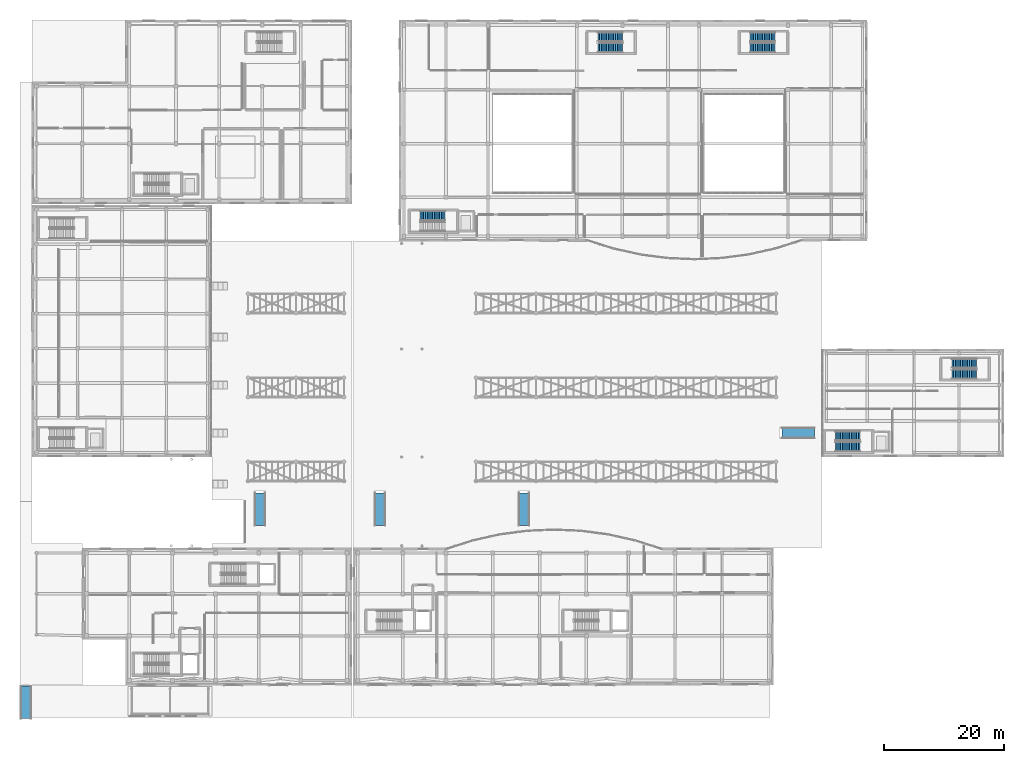
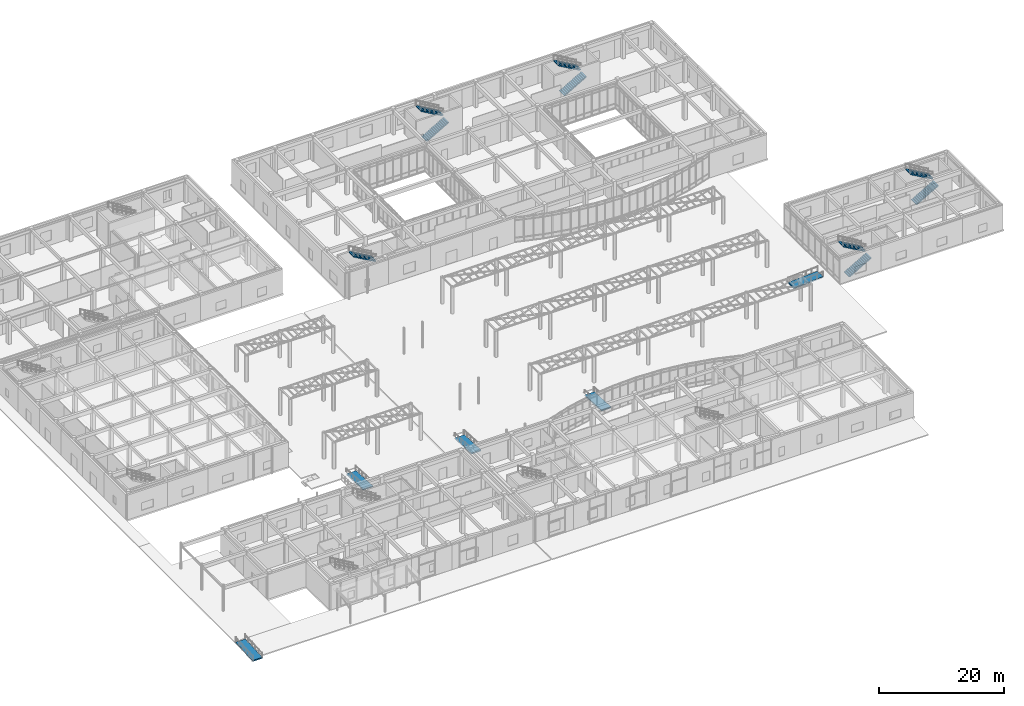
# One storey, part 109 of 121: 9 stair flights, 5 ramp flights, 10 elements without a shape of their own.
"""IFC4 building model written with IfcOpenShell, lengths in metres."""

from ifc_helpers import new_model, si_unit, direction, frame, origin, place, context, subcontext, project, spatial, polyline, outline, extrude, material, layer, layer_set, type_object, element, aggregate, save


model = new_model("IFC4")

# Units and contexts
model_context = context("Model", 3, precision=1e-05, world=origin(), true_north=direction((0.0, 1.0)))
body_context = subcontext(model_context, "Body", "Model", "MODEL_VIEW")
ifc_project = project(units=[si_unit("LENGTHUNIT", "METRE"), si_unit("AREAUNIT", "SQUARE_METRE"), si_unit("VOLUMEUNIT", "CUBIC_METRE"), si_unit("PLANEANGLEUNIT", "RADIAN"), si_unit("MASSUNIT", "GRAM", prefix="KILO")], contexts=[model_context])

# Site, building, storey
site_placement = place(None, origin())
site = spatial("IfcSite", under=ifc_project, at=site_placement, CompositionType="ELEMENT")
building_placement = place(site_placement, origin())
building = spatial("IfcBuilding", under=site, at=building_placement, Name="Valcora Specialist Clinic", CompositionType="ELEMENT")
storey_placement = place(building_placement, origin())
storey = spatial("IfcBuildingStorey", under=building, at=storey_placement, Name="L00", CompositionType="ELEMENT", Elevation=0.0)

# Stair, stair flights
ifc_material_1 = material(Name="Concrete C40/50", Category="concrete")
stair_type = type_object("IfcStairType", Name="TY-ST-DG510", PredefinedType="HALF_TURN_STAIR", material=ifc_material_1)
stair_1_placement = place(storey_placement, origin())
stair_1 = element("IfcStair", 1, at=stair_1_placement, inside=storey, type_object=stair_type, Name="L00 Core C-V3A stair ST-V3A", PredefinedType="HALF_TURN_STAIR")
stair_flight_type = type_object("IfcStairFlightType", Name="TY-SF-RC160", PredefinedType="STRAIGHT", material=ifc_material_1)
stair_flight_1_placement = place(storey_placement, frame((133.89990234375, 39.699951171875, 0.0), z_axis=(0.0, 0.0, 1.0), x_axis=(1.0, 0.0, 0.0)))
stair_flight_1 = element("IfcStairFlight", 2, at=stair_flight_1_placement, type_object=stair_flight_type, Name="ST-V3A flight 1", NumberOfRisers=15, NumberOfTreads=14, PredefinedType="STRAIGHT", RiserHeight=0.17, TreadLength=0.295, context=body_context, shape_type="SweptSolid", body=[
    extrude(outline(polyline([(0.0, 0.0), (0.0, 0.169921875), (0.294921875, 0.169921875), (0.294921875, 0.340087890625), (0.590087890625, 0.340087890625), (0.590087890625, 0.510009765625), (0.885009765625, 0.510009765625), (0.885009765625, 0.679931640625), (1.179931640625, 0.679931640625), (1.179931640625, 0.85009765625), (1.47509765625, 0.85009765625), (1.47509765625, 1.02001953125), (1.77001953125, 1.02001953125), (1.77001953125, 1.18994140625), (2.06494140625, 1.18994140625), (2.06494140625, 1.360107421875), (2.360107421875, 1.360107421875), (2.360107421875, 1.530029296875), (2.655029296875, 1.530029296875), (2.655029296875, 1.699951171875), (2.949951171875, 1.699951171875), (2.949951171875, 1.8701171875), (3.2451171875, 1.8701171875), (3.2451171875, 2.0400390625), (3.5400390625, 2.0400390625), (3.5400390625, 2.2099609375), (3.8349609375, 2.2099609375), (3.8349609375, 2.3798828125), (4.1298828125, 2.3798828125), (4.1298828125, 2.550048828125), (4.1298828125, 2.195556640625), (0.3203125, 0.0), (0.0, 0.0)])), frame((0.0, 0.800048828125, 0.0), z_axis=(0.0, -1.0, 0.0), x_axis=(1.0, 0.0, 0.0)), (0.0, 0.0, 1.0), 1.60009765625),
])
stair_flight_2_placement = place(storey_placement, frame((138.030029296875, 41.5, 2.550048828125), z_axis=(0.0, 0.0, 1.0), x_axis=(-1.0, 0.0, 0.0)))
stair_flight_2 = element("IfcStairFlight", 3, at=stair_flight_2_placement, type_object=stair_flight_type, Name="ST-V3A flight 2", NumberOfRisers=15, NumberOfTreads=14, PredefinedType="STRAIGHT", RiserHeight=0.17, TreadLength=0.295, context=body_context, shape_type="SweptSolid", body=[
    extrude(outline(polyline([(0.0, 0.0), (0.0, 0.169921875), (0.294921875, 0.169921875), (0.294921875, 0.340087890625), (0.590087890625, 0.340087890625), (0.590087890625, 0.510009765625), (0.885009765625, 0.510009765625), (0.885009765625, 0.679931640625), (1.179931640625, 0.679931640625), (1.179931640625, 0.85009765625), (1.47509765625, 0.85009765625), (1.47509765625, 1.02001953125), (1.77001953125, 1.02001953125), (1.77001953125, 1.18994140625), (2.06494140625, 1.18994140625), (2.06494140625, 1.360107421875), (2.360107421875, 1.360107421875), (2.360107421875, 1.530029296875), (2.655029296875, 1.530029296875), (2.655029296875, 1.699951171875), (2.949951171875, 1.699951171875), (2.949951171875, 1.8701171875), (3.2451171875, 1.8701171875), (3.2451171875, 2.0400390625), (3.5400390625, 2.0400390625), (3.5400390625, 2.2099609375), (3.8349609375, 2.2099609375), (3.8349609375, 2.3798828125), (4.1298828125, 2.3798828125), (4.1298828125, 2.550048828125), (4.1298828125, 2.195556640625), (0.3203125, 0.0), (0.0, 0.0)])), frame((0.0, 0.800048828125, 0.0), z_axis=(0.0, -1.0, 0.0), x_axis=(1.0, 0.0, 0.0)), (0.0, 0.0, 1.0), 1.60009765625),
])
aggregate(stair_1, [stair_flight_1, stair_flight_2])

stair_2_placement = place(storey_placement, origin())
stair_2 = element("IfcStair", 4, at=stair_2_placement, inside=storey, type_object=stair_type, Name="L00 Core C-V3B stair ST-V3B", PredefinedType="HALF_TURN_STAIR")
stair_flight_3_placement = place(storey_placement, frame((153.300048828125, 51.800048828125, 0.0), z_axis=(0.0, 0.0, 1.0), x_axis=(1.0, 0.0, 0.0)))
stair_flight_3 = element("IfcStairFlight", 5, at=stair_flight_3_placement, type_object=stair_flight_type, Name="ST-V3B flight 1", NumberOfRisers=15, NumberOfTreads=14, PredefinedType="STRAIGHT", RiserHeight=0.17, TreadLength=0.295, context=body_context, shape_type="SweptSolid", body=[
    extrude(outline(polyline([(0.0, 0.0), (0.0, 0.169921875), (0.294921875, 0.169921875), (0.294921875, 0.340087890625), (0.590087890625, 0.340087890625), (0.590087890625, 0.510009765625), (0.885009765625, 0.510009765625), (0.885009765625, 0.679931640625), (1.179931640625, 0.679931640625), (1.179931640625, 0.85009765625), (1.47509765625, 0.85009765625), (1.47509765625, 1.02001953125), (1.77001953125, 1.02001953125), (1.77001953125, 1.18994140625), (2.06494140625, 1.18994140625), (2.06494140625, 1.360107421875), (2.360107421875, 1.360107421875), (2.360107421875, 1.530029296875), (2.655029296875, 1.530029296875), (2.655029296875, 1.699951171875), (2.949951171875, 1.699951171875), (2.949951171875, 1.8701171875), (3.2451171875, 1.8701171875), (3.2451171875, 2.0400390625), (3.5400390625, 2.0400390625), (3.5400390625, 2.2099609375), (3.8349609375, 2.2099609375), (3.8349609375, 2.3798828125), (4.1298828125, 2.3798828125), (4.1298828125, 2.550048828125), (4.1298828125, 2.195556640625), (0.3203125, 0.0), (0.0, 0.0)])), frame((0.0, 0.800048828125, 0.0), z_axis=(0.0, -1.0, 0.0), x_axis=(1.0, 0.0, 0.0)), (0.0, 0.0, 1.0), 1.60009765625),
])
stair_flight_4_placement = place(storey_placement, frame((157.429931640625, 53.60009765625, 2.550048828125), z_axis=(0.0, 0.0, 1.0), x_axis=(-1.0, 0.0, 0.0)))
stair_flight_4 = element("IfcStairFlight", 6, at=stair_flight_4_placement, type_object=stair_flight_type, Name="ST-V3B flight 2", NumberOfRisers=15, NumberOfTreads=14, PredefinedType="STRAIGHT", RiserHeight=0.17, TreadLength=0.295, context=body_context, shape_type="SweptSolid", body=[
    extrude(outline(polyline([(0.0, 0.0), (0.0, 0.169921875), (0.294921875, 0.169921875), (0.294921875, 0.340087890625), (0.590087890625, 0.340087890625), (0.590087890625, 0.510009765625), (0.885009765625, 0.510009765625), (0.885009765625, 0.679931640625), (1.179931640625, 0.679931640625), (1.179931640625, 0.85009765625), (1.47509765625, 0.85009765625), (1.47509765625, 1.02001953125), (1.77001953125, 1.02001953125), (1.77001953125, 1.18994140625), (2.06494140625, 1.18994140625), (2.06494140625, 1.360107421875), (2.360107421875, 1.360107421875), (2.360107421875, 1.530029296875), (2.655029296875, 1.530029296875), (2.655029296875, 1.699951171875), (2.949951171875, 1.699951171875), (2.949951171875, 1.8701171875), (3.2451171875, 1.8701171875), (3.2451171875, 2.0400390625), (3.5400390625, 2.0400390625), (3.5400390625, 2.2099609375), (3.8349609375, 2.2099609375), (3.8349609375, 2.3798828125), (4.1298828125, 2.3798828125), (4.1298828125, 2.550048828125), (4.1298828125, 2.195556640625), (0.3203125, 0.0), (0.0, 0.0)])), frame((0.0, 0.800048828125, 0.0), z_axis=(0.0, -1.0, 0.0), x_axis=(1.0, 0.0, 0.0)), (0.0, 0.0, 1.0), 1.60009765625),
])
aggregate(stair_2, [stair_flight_3, stair_flight_4])

# Stair, stair flight
stair_3_placement = place(storey_placement, origin())
stair_3 = element("IfcStair", 7, at=stair_3_placement, inside=storey, type_object=stair_type, Name="L00 Core C-V4A stair ST-V4A", PredefinedType="HALF_TURN_STAIR")
stair_flight_5_placement = place(storey_placement, frame((68.830078125, 78.199951171875, 2.550048828125), z_axis=(0.0, 0.0, 1.0), x_axis=(-1.0, 0.0, 0.0)))
stair_flight_5 = element("IfcStairFlight", 8, at=stair_flight_5_placement, type_object=stair_flight_type, Name="ST-V4A flight 2", NumberOfRisers=15, NumberOfTreads=14, PredefinedType="STRAIGHT", RiserHeight=0.17, TreadLength=0.295, context=body_context, shape_type="SweptSolid", body=[
    extrude(outline(polyline([(0.0, 0.0), (0.0, 0.169921875), (0.294921875, 0.169921875), (0.294921875, 0.340087890625), (0.590087890625, 0.340087890625), (0.590087890625, 0.510009765625), (0.885009765625, 0.510009765625), (0.885009765625, 0.679931640625), (1.179931640625, 0.679931640625), (1.179931640625, 0.85009765625), (1.47509765625, 0.85009765625), (1.47509765625, 1.02001953125), (1.77001953125, 1.02001953125), (1.77001953125, 1.18994140625), (2.06494140625, 1.18994140625), (2.06494140625, 1.360107421875), (2.360107421875, 1.360107421875), (2.360107421875, 1.530029296875), (2.655029296875, 1.530029296875), (2.655029296875, 1.699951171875), (2.949951171875, 1.699951171875), (2.949951171875, 1.8701171875), (3.2451171875, 1.8701171875), (3.2451171875, 2.0400390625), (3.5400390625, 2.0400390625), (3.5400390625, 2.2099609375), (3.8349609375, 2.2099609375), (3.8349609375, 2.3798828125), (4.1298828125, 2.3798828125), (4.1298828125, 2.550048828125), (4.1298828125, 2.195556640625), (0.3203125, 0.0), (0.0, 0.0)])), frame((0.0, 0.800048828125, 0.0), z_axis=(0.0, -1.0, 0.0), x_axis=(1.0, 0.0, 0.0)), (0.0, 0.0, 1.0), 1.60009765625),
])
aggregate(stair_3, [stair_flight_5])

# Stair, stair flights
stair_4_placement = place(storey_placement, origin())
stair_4 = element("IfcStair", 9, at=stair_4_placement, inside=storey, type_object=stair_type, Name="L00 Core C-V4B stair ST-V4B", PredefinedType="HALF_TURN_STAIR")
stair_flight_6_placement = place(storey_placement, frame((94.300048828125, 106.199951171875, 0.0), z_axis=(0.0, 0.0, 1.0), x_axis=(1.0, 0.0, 0.0)))
stair_flight_6 = element("IfcStairFlight", 10, at=stair_flight_6_placement, type_object=stair_flight_type, Name="ST-V4B flight 1", NumberOfRisers=15, NumberOfTreads=14, PredefinedType="STRAIGHT", RiserHeight=0.17, TreadLength=0.295, context=body_context, shape_type="SweptSolid", body=[
    extrude(outline(polyline([(0.0, 0.0), (0.0, 0.169921875), (0.294921875, 0.169921875), (0.294921875, 0.340087890625), (0.590087890625, 0.340087890625), (0.590087890625, 0.510009765625), (0.885009765625, 0.510009765625), (0.885009765625, 0.679931640625), (1.179931640625, 0.679931640625), (1.179931640625, 0.85009765625), (1.47509765625, 0.85009765625), (1.47509765625, 1.02001953125), (1.77001953125, 1.02001953125), (1.77001953125, 1.18994140625), (2.06494140625, 1.18994140625), (2.06494140625, 1.360107421875), (2.360107421875, 1.360107421875), (2.360107421875, 1.530029296875), (2.655029296875, 1.530029296875), (2.655029296875, 1.699951171875), (2.949951171875, 1.699951171875), (2.949951171875, 1.8701171875), (3.2451171875, 1.8701171875), (3.2451171875, 2.0400390625), (3.5400390625, 2.0400390625), (3.5400390625, 2.2099609375), (3.8349609375, 2.2099609375), (3.8349609375, 2.3798828125), (4.1298828125, 2.3798828125), (4.1298828125, 2.550048828125), (4.1298828125, 2.195556640625), (0.3203125, 0.0), (0.0, 0.0)])), frame((0.0, 0.800048828125, 0.0), z_axis=(0.0, -1.0, 0.0), x_axis=(1.0, 0.0, 0.0)), (0.0, 0.0, 1.0), 1.60009765625),
])
stair_flight_7_placement = place(storey_placement, frame((98.429931640625, 108.0, 2.550048828125), z_axis=(0.0, 0.0, 1.0), x_axis=(-1.0, 0.0, 0.0)))
stair_flight_7 = element("IfcStairFlight", 11, at=stair_flight_7_placement, type_object=stair_flight_type, Name="ST-V4B flight 2", NumberOfRisers=15, NumberOfTreads=14, PredefinedType="STRAIGHT", RiserHeight=0.17, TreadLength=0.295, context=body_context, shape_type="SweptSolid", body=[
    extrude(outline(polyline([(0.0, 0.0), (0.0, 0.169921875), (0.294921875, 0.169921875), (0.294921875, 0.340087890625), (0.590087890625, 0.340087890625), (0.590087890625, 0.510009765625), (0.885009765625, 0.510009765625), (0.885009765625, 0.679931640625), (1.179931640625, 0.679931640625), (1.179931640625, 0.85009765625), (1.47509765625, 0.85009765625), (1.47509765625, 1.02001953125), (1.77001953125, 1.02001953125), (1.77001953125, 1.18994140625), (2.06494140625, 1.18994140625), (2.06494140625, 1.360107421875), (2.360107421875, 1.360107421875), (2.360107421875, 1.530029296875), (2.655029296875, 1.530029296875), (2.655029296875, 1.699951171875), (2.949951171875, 1.699951171875), (2.949951171875, 1.8701171875), (3.2451171875, 1.8701171875), (3.2451171875, 2.0400390625), (3.5400390625, 2.0400390625), (3.5400390625, 2.2099609375), (3.8349609375, 2.2099609375), (3.8349609375, 2.3798828125), (4.1298828125, 2.3798828125), (4.1298828125, 2.550048828125), (4.1298828125, 2.195556640625), (0.3203125, 0.0), (0.0, 0.0)])), frame((0.0, 0.800048828125, 0.0), z_axis=(0.0, -1.0, 0.0), x_axis=(1.0, 0.0, 0.0)), (0.0, 0.0, 1.0), 1.60009765625),
])
aggregate(stair_4, [stair_flight_6, stair_flight_7])

stair_5_placement = place(storey_placement, origin())
stair_5 = element("IfcStair", 12, at=stair_5_placement, inside=storey, type_object=stair_type, Name="L00 Core C-V4C stair ST-V4C", PredefinedType="HALF_TURN_STAIR")
stair_flight_8_placement = place(storey_placement, frame((119.699951171875, 106.199951171875, 0.0), z_axis=(0.0, 0.0, 1.0), x_axis=(1.0, 0.0, 0.0)))
stair_flight_8 = element("IfcStairFlight", 13, at=stair_flight_8_placement, type_object=stair_flight_type, Name="ST-V4C flight 1", NumberOfRisers=15, NumberOfTreads=14, PredefinedType="STRAIGHT", RiserHeight=0.17, TreadLength=0.295, context=body_context, shape_type="SweptSolid", body=[
    extrude(outline(polyline([(0.0, 0.0), (0.0, 0.169921875), (0.294921875, 0.169921875), (0.294921875, 0.340087890625), (0.590087890625, 0.340087890625), (0.590087890625, 0.510009765625), (0.885009765625, 0.510009765625), (0.885009765625, 0.679931640625), (1.179931640625, 0.679931640625), (1.179931640625, 0.85009765625), (1.47509765625, 0.85009765625), (1.47509765625, 1.02001953125), (1.77001953125, 1.02001953125), (1.77001953125, 1.18994140625), (2.06494140625, 1.18994140625), (2.06494140625, 1.360107421875), (2.360107421875, 1.360107421875), (2.360107421875, 1.530029296875), (2.655029296875, 1.530029296875), (2.655029296875, 1.699951171875), (2.949951171875, 1.699951171875), (2.949951171875, 1.8701171875), (3.2451171875, 1.8701171875), (3.2451171875, 2.0400390625), (3.5400390625, 2.0400390625), (3.5400390625, 2.2099609375), (3.8349609375, 2.2099609375), (3.8349609375, 2.3798828125), (4.1298828125, 2.3798828125), (4.1298828125, 2.550048828125), (4.1298828125, 2.195556640625), (0.3203125, 0.0), (0.0, 0.0)])), frame((0.0, 0.800048828125, 0.0), z_axis=(0.0, -1.0, 0.0), x_axis=(1.0, 0.0, 0.0)), (0.0, 0.0, 1.0), 1.60009765625),
])
stair_flight_9_placement = place(storey_placement, frame((123.830078125, 108.0, 2.550048828125), z_axis=(0.0, 0.0, 1.0), x_axis=(-1.0, 0.0, 0.0)))
stair_flight_9 = element("IfcStairFlight", 14, at=stair_flight_9_placement, type_object=stair_flight_type, Name="ST-V4C flight 2", NumberOfRisers=15, NumberOfTreads=14, PredefinedType="STRAIGHT", RiserHeight=0.17, TreadLength=0.295, context=body_context, shape_type="SweptSolid", body=[
    extrude(outline(polyline([(0.0, 0.0), (0.0, 0.169921875), (0.294921875, 0.169921875), (0.294921875, 0.340087890625), (0.590087890625, 0.340087890625), (0.590087890625, 0.510009765625), (0.885009765625, 0.510009765625), (0.885009765625, 0.679931640625), (1.179931640625, 0.679931640625), (1.179931640625, 0.85009765625), (1.47509765625, 0.85009765625), (1.47509765625, 1.02001953125), (1.77001953125, 1.02001953125), (1.77001953125, 1.18994140625), (2.06494140625, 1.18994140625), (2.06494140625, 1.360107421875), (2.360107421875, 1.360107421875), (2.360107421875, 1.530029296875), (2.655029296875, 1.530029296875), (2.655029296875, 1.699951171875), (2.949951171875, 1.699951171875), (2.949951171875, 1.8701171875), (3.2451171875, 1.8701171875), (3.2451171875, 2.0400390625), (3.5400390625, 2.0400390625), (3.5400390625, 2.2099609375), (3.8349609375, 2.2099609375), (3.8349609375, 2.3798828125), (4.1298828125, 2.3798828125), (4.1298828125, 2.550048828125), (4.1298828125, 2.195556640625), (0.3203125, 0.0), (0.0, 0.0)])), frame((0.0, 0.800048828125, 0.0), z_axis=(0.0, -1.0, 0.0), x_axis=(1.0, 0.0, 0.0)), (0.0, 0.0, 1.0), 1.60009765625),
])
aggregate(stair_5, [stair_flight_8, stair_flight_9])

# Ramp, ramp flight
ifc_material_2 = material(Name="Concrete C35/45", Category="concrete")
ifc_layer_1 = layer(ifc_material_2, 0.219970703125)
ifc_layer_set_1 = layer_set([ifc_layer_1], Name="Concrete C35/45")
ramp_type = type_object("IfcRampType", Name="TY-RM-PED", PredefinedType="STRAIGHT_RUN_RAMP", material=ifc_layer_set_1)
ramp_1_placement = place(storey_placement, origin())
ramp_1 = element("IfcRamp", 15, at=ramp_1_placement, inside=storey, type_object=ramp_type, Name="Accessible pedestrian ramp RM-PED-01", PredefinedType="STRAIGHT_RUN_RAMP")
ifc_layer_2 = layer(ifc_material_2, 0.219970703125)
ifc_layer_set_2 = layer_set([ifc_layer_2], Name="Concrete C35/45")
ramp_flight_type = type_object("IfcRampFlightType", Name="TY-RF-PED", PredefinedType="STRAIGHT", material=ifc_layer_set_2)
ramp_flight_1_placement = place(storey_placement, frame((-1.0, -5.60009765625, -0.300048828125), z_axis=(0.0, 0.0, 1.0), x_axis=(0.0, 1.0, 0.0)))
ramp_flight_1 = element("IfcRampFlight", 16, at=ramp_flight_1_placement, type_object=ramp_flight_type, Name="Accessible pedestrian ramp flight RM-PED-01-F1", PredefinedType="STRAIGHT", context=body_context, shape_type="SweptSolid", body=[
    extrude(outline(polyline([(0.0, 0.0), (5.39990234375, 0.300048828125), (5.39990234375, 0.080078125), (0.0, -0.219970703125), (0.0, 0.0)])), frame((0.0, 0.89990234375, 0.0), z_axis=(0.0, -1.0, 0.0), x_axis=(1.0, 0.0, 0.0)), (0.0, 0.0, 1.0), 1.800048828125),
])
aggregate(ramp_1, [ramp_flight_1])

ramp_2_placement = place(storey_placement, origin())
ramp_2 = element("IfcRamp", 17, at=ramp_2_placement, inside=storey, type_object=ramp_type, Name="Accessible pedestrian ramp RM-PED-02", PredefinedType="STRAIGHT_RUN_RAMP")
ramp_flight_2_placement = place(storey_placement, frame((38.0, 32.0, -0.300048828125), z_axis=(0.0, 0.0, 1.0), x_axis=(0.0, -1.0, 0.0)))
ramp_flight_2 = element("IfcRampFlight", 18, at=ramp_flight_2_placement, type_object=ramp_flight_type, Name="Accessible pedestrian ramp flight RM-PED-02-F1", PredefinedType="STRAIGHT", context=body_context, shape_type="SweptSolid", body=[
    extrude(outline(polyline([(0.0, 0.0), (5.39990234375, 0.300048828125), (5.39990234375, 0.080078125), (0.0, -0.219970703125), (0.0, 0.0)])), frame((0.0, 0.89990234375, 0.0), z_axis=(0.0, -1.0, 0.0), x_axis=(1.0, 0.0, 0.0)), (0.0, 0.0, 1.0), 1.800048828125),
])
aggregate(ramp_2, [ramp_flight_2])

ramp_3_placement = place(storey_placement, origin())
ramp_3 = element("IfcRamp", 19, at=ramp_3_placement, inside=storey, type_object=ramp_type, Name="Accessible pedestrian ramp RM-PED-05", PredefinedType="STRAIGHT_RUN_RAMP")
ramp_flight_3_placement = place(storey_placement, frame((58.0, 32.0, -0.300048828125), z_axis=(0.0, 0.0, 1.0), x_axis=(0.0, -1.0, 0.0)))
ramp_flight_3 = element("IfcRampFlight", 20, at=ramp_flight_3_placement, type_object=ramp_flight_type, Name="Accessible pedestrian ramp flight RM-PED-05-F1", PredefinedType="STRAIGHT", context=body_context, shape_type="SweptSolid", body=[
    extrude(outline(polyline([(0.0, 0.0), (5.39990234375, 0.300048828125), (5.39990234375, 0.080078125), (0.0, -0.219970703125), (0.0, 0.0)])), frame((0.0, 0.89990234375, 0.0), z_axis=(0.0, -1.0, 0.0), x_axis=(1.0, 0.0, 0.0)), (0.0, 0.0, 1.0), 1.800048828125),
])
aggregate(ramp_3, [ramp_flight_3])

ramp_4_placement = place(storey_placement, origin())
ramp_4 = element("IfcRamp", 21, at=ramp_4_placement, inside=storey, type_object=ramp_type, Name="Accessible pedestrian ramp RM-PED-03", PredefinedType="STRAIGHT_RUN_RAMP")
ramp_flight_4_placement = place(storey_placement, frame((82.0, 32.0, -0.300048828125), z_axis=(0.0, 0.0, 1.0), x_axis=(0.0, -1.0, 0.0)))
ramp_flight_4 = element("IfcRampFlight", 22, at=ramp_flight_4_placement, type_object=ramp_flight_type, Name="Accessible pedestrian ramp flight RM-PED-03-F1", PredefinedType="STRAIGHT", context=body_context, shape_type="SweptSolid", body=[
    extrude(outline(polyline([(0.0, 0.0), (5.39990234375, 0.300048828125), (5.39990234375, 0.080078125), (0.0, -0.219970703125), (0.0, 0.0)])), frame((0.0, 0.89990234375, 0.0), z_axis=(0.0, -1.0, 0.0), x_axis=(1.0, 0.0, 0.0)), (0.0, 0.0, 1.0), 1.800048828125),
])
aggregate(ramp_4, [ramp_flight_4])

ramp_5_placement = place(storey_placement, origin())
ramp_5 = element("IfcRamp", 23, at=ramp_5_placement, inside=storey, type_object=ramp_type, Name="Accessible pedestrian ramp RM-PED-04", PredefinedType="STRAIGHT_RUN_RAMP")
ramp_flight_5_placement = place(storey_placement, frame((125.0, 42.0, -0.300048828125), z_axis=(0.0, 0.0, 1.0), x_axis=(1.0, 0.0, 0.0)))
ramp_flight_5 = element("IfcRampFlight", 24, at=ramp_flight_5_placement, type_object=ramp_flight_type, Name="Accessible pedestrian ramp flight RM-PED-04-F1", PredefinedType="STRAIGHT", context=body_context, shape_type="SweptSolid", body=[
    extrude(outline(polyline([(0.0, 0.0), (5.39990234375, 0.300048828125), (5.39990234375, 0.080078125), (0.0, -0.219970703125), (0.0, 0.0)])), frame((0.0, 0.89990234375, 0.0), z_axis=(0.0, -1.0, 0.0), x_axis=(1.0, 0.0, 0.0)), (0.0, 0.0, 1.0), 1.800048828125),
])
aggregate(ramp_5, [ramp_flight_5])

save(model, "model.ifc")
